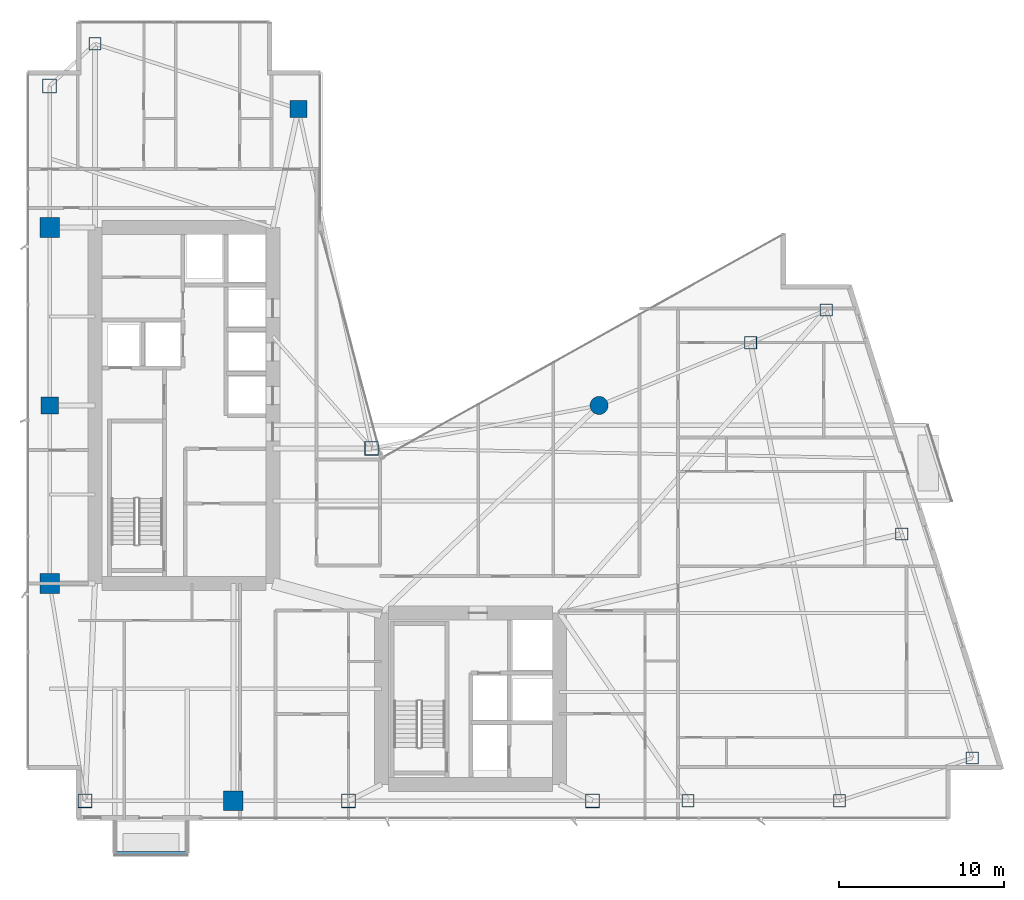
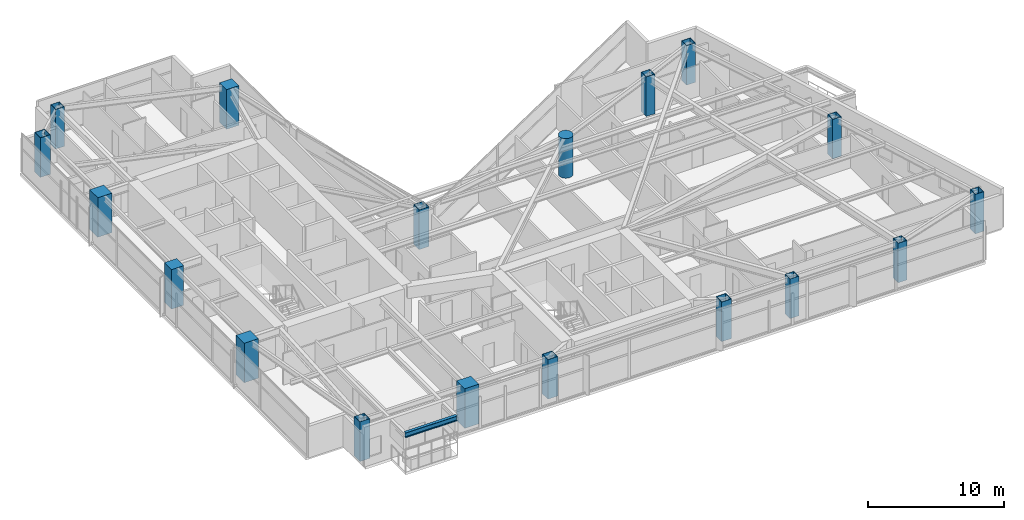
# One storey, part 1 of 28: 18 columns, 1 beam.
"""IFC4 building model written with IfcOpenShell, lengths in metres."""

from ifc_helpers import new_model, si_unit, direction, frame, origin, origin_2d, place, context, subcontext, project, spatial, rectangle, hollow_rectangle, circle, i_section, extrude, material, material_profile, profile_set, type_object, element, save


model = new_model("IFC4")

# Units and contexts
model_context = context("Model", 3, precision=1e-05, world=origin(), true_north=direction((0.0, 1.0)))
body_context = subcontext(model_context, "Body", "Model", "MODEL_VIEW")
ifc_project = project(units=[si_unit("LENGTHUNIT", "METRE"), si_unit("AREAUNIT", "SQUARE_METRE"), si_unit("VOLUMEUNIT", "CUBIC_METRE"), si_unit("PLANEANGLEUNIT", "RADIAN"), si_unit("MASSUNIT", "GRAM", prefix="KILO")], contexts=[model_context])

# Site, building, storey
site_placement = place(None, origin())
site = spatial("IfcSite", under=ifc_project, at=site_placement, CompositionType="ELEMENT")
building_placement = place(site_placement, origin())
building = spatial("IfcBuilding", under=site, at=building_placement, Name="Calvorn Quay Hotel", CompositionType="ELEMENT")
storey_placement = place(building_placement, frame((0.0, 0.0, 112.60009765625)))
storey = spatial("IfcBuildingStorey", under=building, at=storey_placement, Name="L27", CompositionType="ELEMENT", Elevation=112.60009765625)

# Columns
ifc_material_1 = material(Name="Concrete C50", Category="concrete")
ifc_material_profile_1 = material_profile(ifc_material_1, rectangle(XDim=1.050048828125, YDim=1.050048828125, at=origin_2d()), Name="RC1050x1050")
ifc_profile_set_1 = profile_set([ifc_material_profile_1], Name="Concrete C50")
column_type_1 = type_object("IfcColumnType", Name="COL-RC-1050", PredefinedType="COLUMN", material=ifc_profile_set_1)
for number, where, z_axis, x_axis, name in (
    (1, (1.449951171875, 27.60009765625, 0.0), (0.0, 0.0, 1.0), (1.0, 0.0, 0.0), "Column C-W3 (L27)"),
    (2, (16.550048828125, 45.60009765625, 0.0), (0.0, 0.0, 1.0), (1.0, 0.0, 0.0), "Column C-IC1 (L27)"),
):
    element("IfcColumn", number, at=place(storey_placement, frame(where, z_axis=z_axis, x_axis=x_axis)), inside=storey, type_object=column_type_1, Name=name, PredefinedType="COLUMN", context=body_context, shape_type="SweptSolid", body=[
        extrude(rectangle(XDim=1.050048828125, YDim=1.050048828125, at=origin_2d()), origin(), (0.0, 0.0, 1.0), 3.559814453125),
    ])
ifc_material_2 = material(Name="Concrete C50", Category="concrete")
ifc_material_profile_2 = material_profile(ifc_material_2, rectangle(XDim=1.199951171875, YDim=1.199951171875, at=origin_2d()), Name="RC1200x1200")
ifc_profile_set_2 = profile_set([ifc_material_profile_2], Name="Concrete C50")
column_type_2 = type_object("IfcColumnType", Name="COL-RC-1200", PredefinedType="COLUMN", material=ifc_profile_set_2)
for number, where, z_axis, x_axis, name in (
    (3, (1.449951171875, 16.800048828125, 0.0), (0.0, 0.0, 1.0), (1.0, 0.0, 0.0), "Column C-W2 (L27)"),
    (4, (1.449951171875, 38.39990234375, 0.0), (0.0, 0.0, 1.0), (1.0, 0.0, 0.0), "Column C-W4 (L27)"),
    (5, (12.60009765625, 3.60009765625, 0.0), (0.0, 0.0, 1.0), (1.0, 0.0, 0.0), "Column C-S1 (L27)"),
):
    element("IfcColumn", number, at=place(storey_placement, frame(where, z_axis=z_axis, x_axis=x_axis)), inside=storey, type_object=column_type_2, Name=name, PredefinedType="COLUMN", context=body_context, shape_type="SweptSolid", body=[
        extrude(rectangle(XDim=1.199951171875, YDim=1.199951171875, at=origin_2d()), origin(), (0.0, 0.0, 1.0), 3.559814453125),
    ])
ifc_material_3 = material(Name="Concrete C50", Category="concrete")
ifc_material_profile_3 = material_profile(ifc_material_3, circle(Radius=0.550048828125, at=origin_2d()), Name="RCD1100")
ifc_profile_set_3 = profile_set([ifc_material_profile_3], Name="Concrete C50")
column_type_3 = type_object("IfcColumnType", Name="COL-RC-D1100", PredefinedType="COLUMN", material=ifc_profile_set_3)
column_placement = place(storey_placement, frame((34.800048828125, 27.60009765625, 0.0), z_axis=(0.0, 0.0, 1.0), x_axis=(1.0, 0.0, 0.0)))
element("IfcColumn", 6, at=column_placement, inside=storey, type_object=column_type_3, Name="Column C-NC1 (L27)", PredefinedType="COLUMN", context=body_context, shape_type="SweptSolid", body=[
    extrude(circle(Radius=0.550048828125, at=origin_2d()), origin(), (0.0, 0.0, 1.0), 3.559814453125),
])
ifc_material_4 = material(Name="Steel Q390GJC", Category="steel")
ifc_material_profile_4 = material_profile(ifc_material_4, hollow_rectangle(XDim=0.85009765625, YDim=0.85009765625, WallThickness=0.035888671875, at=origin_2d()), Name="BOX850x850x36")
ifc_profile_set_4 = profile_set([ifc_material_profile_4], Name="Steel Q390GJC")
column_type_4 = type_object("IfcColumnType", Name="COL-STL-Z2", PredefinedType="COLUMN", material=ifc_profile_set_4)
for number, where, z_axis, x_axis, name in (
    (7, (3.60009765625, 3.60009765625, 0.0), (0.0, 0.0, 1.0), (1.0, 0.0, 0.0), "Column C-W1 (L27)"),
    (8, (1.449951171875, 47.0, 0.0), (0.0, 0.0, 1.0), (1.0, 0.0, 0.0), "Column C-W5 (L27)"),
    (9, (21.0, 25.0, 0.0), (0.0, 0.0, 1.0), (1.0, 0.0, 0.0), "Column C-IC2 (L27)"),
    (10, (19.60009765625, 3.60009765625, 0.0), (0.0, 0.0, 1.0), (1.0, 0.0, 0.0), "Column C-S2 (L27)"),
    (11, (34.39990234375, 3.60009765625, 0.0), (0.0, 0.0, 1.0), (1.0, 0.0, 0.0), "Column C-S3 (L27)"),
):
    element("IfcColumn", number, at=place(storey_placement, frame(where, z_axis=z_axis, x_axis=x_axis)), inside=storey, type_object=column_type_4, Name=name, PredefinedType="COLUMN", context=body_context, shape_type="SweptSolid", body=[
        extrude(hollow_rectangle(XDim=0.85009765625, YDim=0.85009765625, WallThickness=0.035888671875, at=origin_2d()), origin(), (0.0, 0.0, 1.0), 3.559814453125),
    ])
ifc_material_5 = material(Name="Steel Q390GJC", Category="steel")
ifc_material_profile_5 = material_profile(ifc_material_5, hollow_rectangle(XDim=0.75, YDim=0.75, WallThickness=0.031982421875, at=origin_2d()), Name="BOX750x750x32")
ifc_profile_set_5 = profile_set([ifc_material_profile_5], Name="Steel Q390GJC")
column_type_5 = type_object("IfcColumnType", Name="COL-STL-Z3", PredefinedType="COLUMN", material=ifc_profile_set_5)
for number, where, z_axis, x_axis, name in (
    (12, (4.199951171875, 49.550048828125, 0.0), (0.0, 0.0, 1.0), (1.0, 0.0, 0.0), "Column C-NW1 (L27)"),
    (13, (40.199951171875, 3.60009765625, 0.0), (0.0, 0.0, 1.0), (1.0, 0.0, 0.0), "Column C-S4 (L27)"),
    (14, (49.39990234375, 3.60009765625, 0.0), (0.0, 0.0, 1.0), (1.0, 0.0, 0.0), "Column C-S5 (L27)"),
    (15, (44.0, 31.39990234375, 0.0), (0.0, 0.0, 1.0), (1.0, 0.0, 0.0), "Column C-NC2 (L27)"),
    (16, (57.4609375, 6.199951171875, 0.0), (0.0, 0.0, 1.0), (1.0, 0.0, 0.0), "Column C-ET1 (L27)"),
    (17, (53.176025390625, 19.800048828125, 0.0), (0.0, 0.0, 1.0), (1.0, 0.0, 0.0), "Column C-ET2 (L27)"),
    (18, (48.591064453125, 33.39990234375, 0.0), (0.0, 0.0, 1.0), (1.0, 0.0, 0.0), "Column C-ET3 (L27)"),
):
    element("IfcColumn", number, at=place(storey_placement, frame(where, z_axis=z_axis, x_axis=x_axis)), inside=storey, type_object=column_type_5, Name=name, PredefinedType="COLUMN", context=body_context, shape_type="SweptSolid", body=[
        extrude(hollow_rectangle(XDim=0.75, YDim=0.75, WallThickness=0.031982421875, at=origin_2d()), origin(), (0.0, 0.0, 1.0), 3.559814453125),
    ])

# Beam
ifc_material_6 = material(Name="Steel Q355B", Category="steel")
ifc_material_profile_6 = material_profile(ifc_material_6, i_section(OverallWidth=0.25, OverallDepth=0.449951171875, WebThickness=0.011962890625, FlangeThickness=0.01611328125, FilletRadius=0.01611328125, at=origin_2d()), Name="HN450x250x12x16")
ifc_profile_set_6 = profile_set([ifc_material_profile_6], Name="Steel Q355B")
beam_type = type_object("IfcBeamType", Name="BM-CANT-BALC", PredefinedType="BEAM", material=ifc_profile_set_6)
beam_placement = place(storey_placement, frame((5.39990234375, 0.409912109375, 3.31494140625), z_axis=(1.0, 0.0, 0.0), x_axis=(0.0, 1.0, 0.0)))
element("IfcBeam", 19, at=beam_placement, inside=storey, type_object=beam_type, Name="Beam BCBO-L28-2", PredefinedType="BEAM", context=body_context, shape_type="SweptSolid", body=[
    extrude(i_section(OverallWidth=0.25, OverallDepth=0.449951171875, WebThickness=0.011962890625, FlangeThickness=0.01611328125, FilletRadius=0.01611328125, at=origin_2d()), origin(), (0.0, 0.0, 1.0), 4.400146484375),
])

save(model, "model.ifc")
